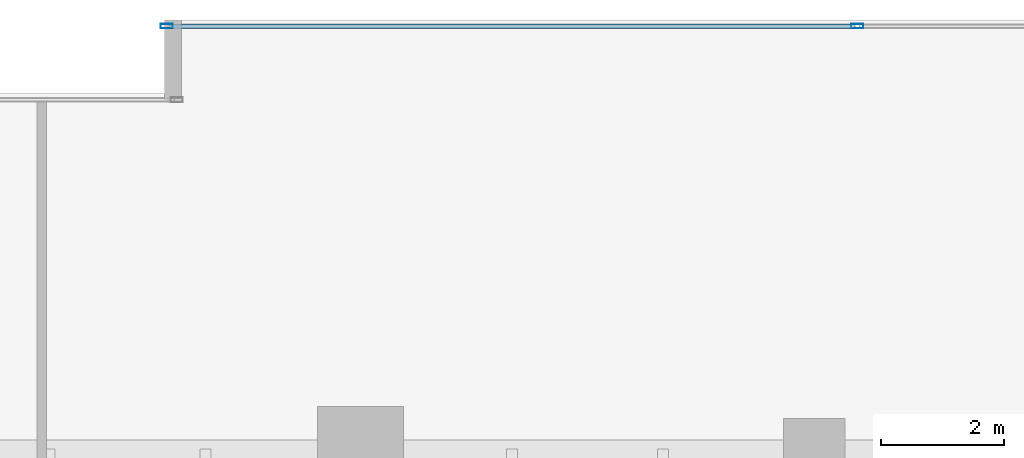
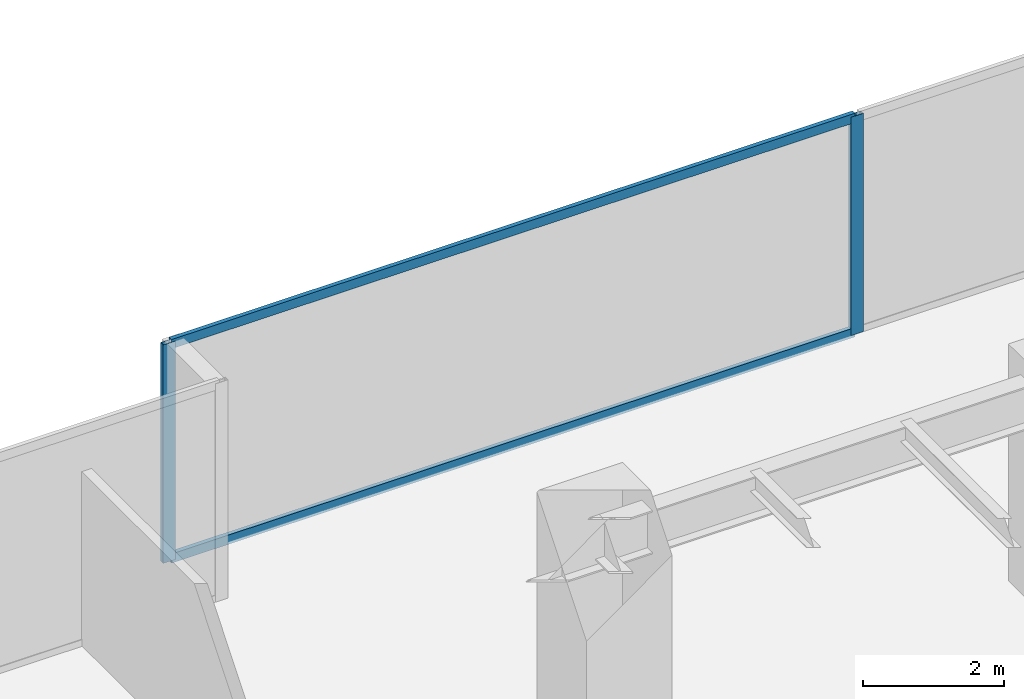
# One storey, part 22 of 35: 4 members, 1 element without a shape of its own.
"""IFC4 building model written with IfcOpenShell, lengths in metres."""

from ifc_helpers import new_model, si_unit, direction, frame, origin, origin_2d, place, context, subcontext, project, spatial, hollow_rectangle, extrude, source, transform, mapped, material, layer, layer_set, material_profile, profile_set, type_object, type_shapes, element, aggregate, save


model = new_model("IFC4")

# Units and contexts
model_context = context("Model", 3, precision=1e-05, world=origin(), true_north=direction((0.0, 1.0)))
body_context = subcontext(model_context, "Body", "Model", "MODEL_VIEW")
ifc_project = project(units=[si_unit("LENGTHUNIT", "METRE"), si_unit("AREAUNIT", "SQUARE_METRE"), si_unit("VOLUMEUNIT", "CUBIC_METRE"), si_unit("PLANEANGLEUNIT", "RADIAN"), si_unit("MASSUNIT", "GRAM", prefix="KILO")], contexts=[model_context])

# Site, building, storey
site_placement = place(None, origin())
site = spatial("IfcSite", under=ifc_project, at=site_placement, CompositionType="ELEMENT")
building_placement = place(site_placement, origin())
building = spatial("IfcBuilding", under=site, at=building_placement, Name="Haelvirn Gate Laboratories", CompositionType="ELEMENT")
storey_placement = place(building_placement, frame((0.0, 0.0, 86.699951171875)))
storey = spatial("IfcBuildingStorey", under=building, at=storey_placement, Name="L21", CompositionType="ELEMENT", Elevation=86.699951171875)

# Curtain wall, members
ifc_material_1 = material(Name="Anodised bronze unitised aluminium & triple low-E glass", Category="aluminium")
ifc_layer = layer(ifc_material_1, 0.18408203125, Name="CW-SYS-2")
ifc_layer_set = layer_set([ifc_layer], Name="Anodised bronze unitised aluminium & triple low-E glass")
curtain_wall_type = type_object("IfcCurtainWallType", Name="CW-SYS-2", PredefinedType="NOTDEFINED", material=ifc_layer_set)
curtain_wall_placement = place(storey_placement, origin())
curtain_wall = element("IfcCurtainWall", 1, at=curtain_wall_placement, inside=storey, type_object=curtain_wall_type, Name="L21 Unitised Curtain Wall CW-L21-P0-E10-1", PredefinedType="NOTDEFINED")
ifc_material_2 = material(Name="Extruded aluminium 6063-T6 (anodised bronze)", Category="aluminium")
ifc_material_profile_1 = material_profile(ifc_material_2, hollow_rectangle(XDim=0.074951171875, YDim=0.199951171875, WallThickness=0.0048828125, at=origin_2d()), Name="CWM-200x75x5")
ifc_profile_set_1 = profile_set([ifc_material_profile_1], Name="Extruded aluminium 6063-T6 (anodised bronze)")
member_type_1 = type_object("IfcMemberType", Name="CWM-T200", PredefinedType="MULLION", material=ifc_profile_set_1)
shared_shape_1 = source(origin(), body_context, "Body", "SweptSolid", [
    extrude(hollow_rectangle(XDim=0.074951171875, YDim=0.199951171875, WallThickness=0.0048828125, at=origin_2d()), origin(), (0.0, 0.0, 1.0), 3.780029296875),
])
type_shapes(member_type_1, [shared_shape_1])
member_1_placement = place(storey_placement, frame((49.4375, 48.5, 0.0), z_axis=(0.0, 0.0, 1.0), x_axis=(0.0, 1.0, 0.0)))
member_1 = element("IfcMember", 2, at=member_1_placement, type_object=member_type_1, Name="CW2 mullion 1", PredefinedType="MULLION", context=body_context, shape_type="MappedRepresentation", body=[
    mapped(shared_shape_1, transform((0.0, 0.0, 0.0), scale=1.0)),
])
member_2_placement = place(storey_placement, frame((60.699951171875, 48.5, 0.0), z_axis=(0.0, 0.0, 1.0), x_axis=(0.0, 1.0, 0.0)))
member_2 = element("IfcMember", 3, at=member_2_placement, type_object=member_type_1, Name="CW2 mullion 2", PredefinedType="MULLION", context=body_context, shape_type="MappedRepresentation", body=[
    mapped(shared_shape_1, transform((0.0, 0.0, 0.0), scale=1.0)),
])
ifc_material_profile_2 = material_profile(ifc_material_2, hollow_rectangle(XDim=0.070068359375, YDim=0.159912109375, WallThickness=0.0048828125, at=origin_2d()), Name="CWT-160x70x5")
ifc_profile_set_2 = profile_set([ifc_material_profile_2], Name="Extruded aluminium 6063-T6 (anodised bronze)")
member_type_2 = type_object("IfcMemberType", Name="CWT-T160", PredefinedType="USERDEFINED", material=ifc_profile_set_2)
shared_shape_2 = source(origin(), body_context, "Body", "SweptSolid", [
    extrude(hollow_rectangle(XDim=0.070068359375, YDim=0.159912109375, WallThickness=0.0048828125, at=origin_2d()), origin(), (0.0, 0.0, 1.0), 11.1875),
])
type_shapes(member_type_2, [shared_shape_2])
member_3_placement = place(storey_placement, frame((49.47509765625, 48.5, 0.03515625), z_axis=(1.0, 0.0, 0.0), x_axis=(0.0, 1.0, 0.0)))
member_3 = element("IfcMember", 4, at=member_3_placement, type_object=member_type_2, Name="CW2 transom 1.1", ObjectType="TRANSOM", PredefinedType="USERDEFINED", context=body_context, shape_type="MappedRepresentation", body=[
    mapped(shared_shape_2, transform((0.0, 0.0, 0.0), scale=1.0)),
])
member_4_placement = place(storey_placement, frame((49.47509765625, 48.5, 3.7451171875), z_axis=(1.0, 0.0, 0.0), x_axis=(0.0, 1.0, 0.0)))
member_4 = element("IfcMember", 5, at=member_4_placement, type_object=member_type_2, Name="CW2 transom 1.2", ObjectType="TRANSOM", PredefinedType="USERDEFINED", context=body_context, shape_type="MappedRepresentation", body=[
    mapped(shared_shape_2, transform((0.0, 0.0, 0.0), scale=1.0)),
])
aggregate(curtain_wall, [member_1, member_2, member_3, member_4])

save(model, "model.ifc")
